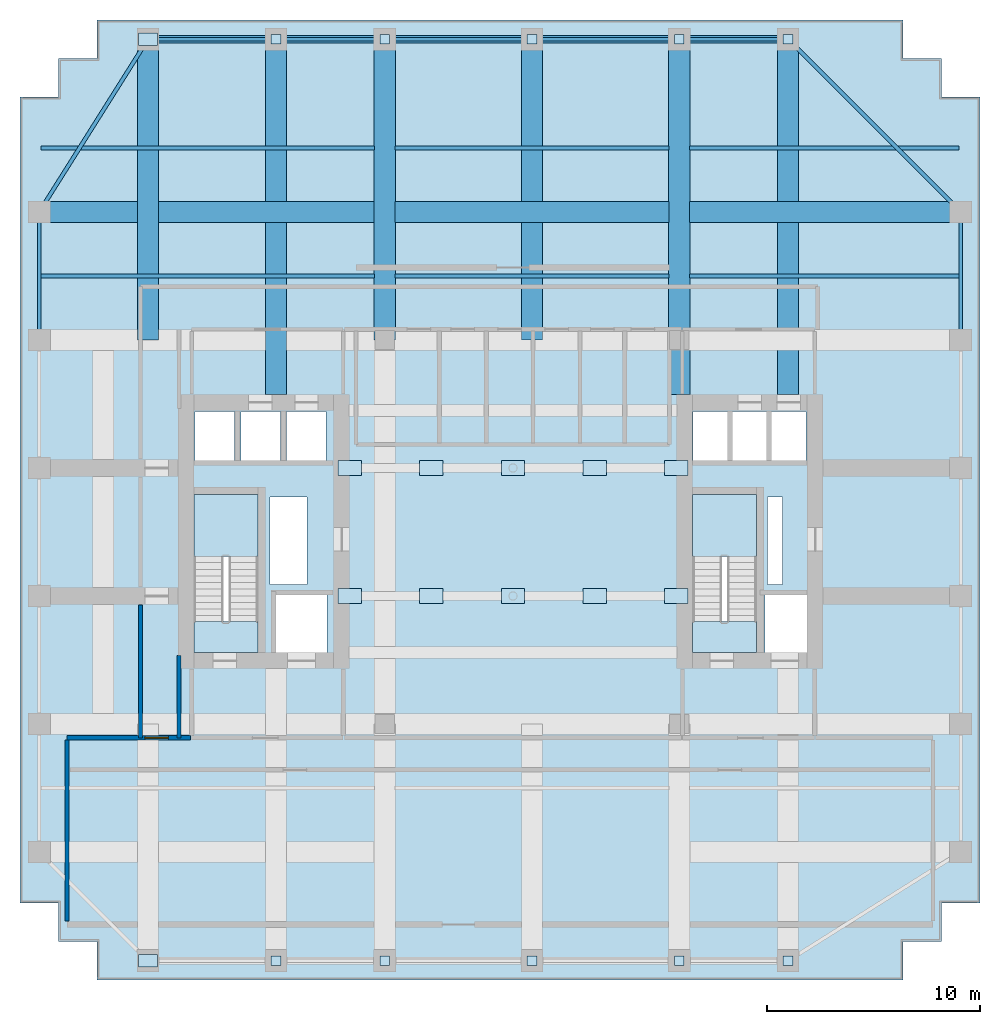
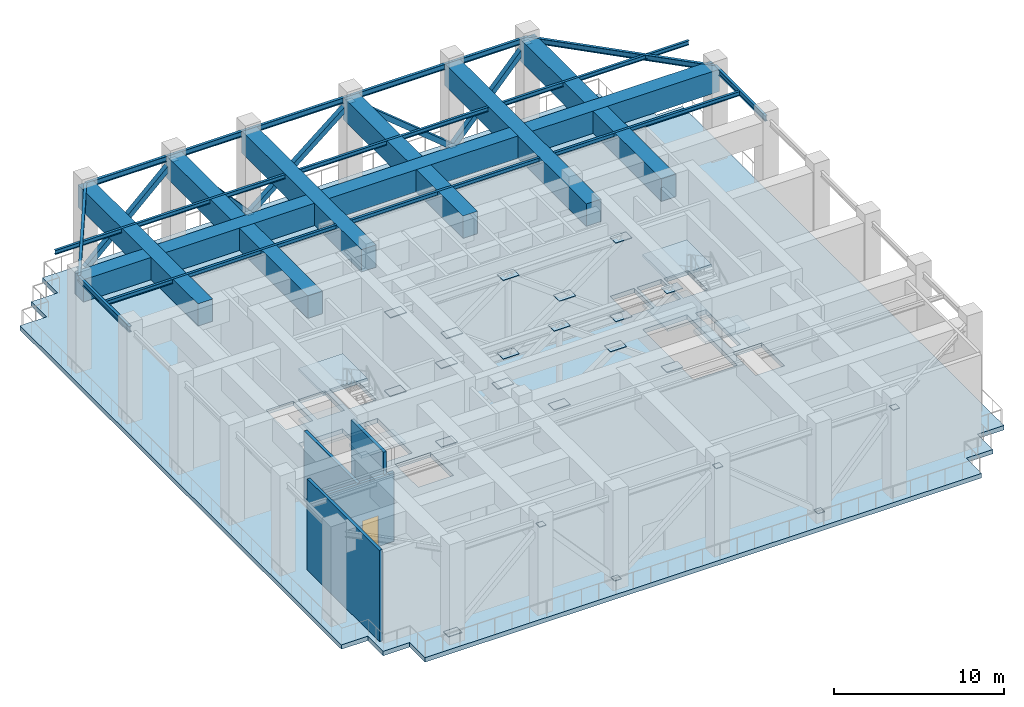
# One storey, part 3 of 10: 28 plates, 24 beams, 7 slabs, 5 members, 4 walls, 1 door, 1 opening, 2 elements without a shape of their own.
"""IFC4 building model written with IfcOpenShell, lengths in metres."""

from ifc_helpers import new_model, si_unit, direction, frame, frame_2d, origin, origin_2d, place, context, subcontext, project, spatial, polyline, rectangle, hollow_rectangle, i_section, outline, extrude, source, transform, mapped, material, layer, layer_set, material_profile, profile_set, type_object, element, fill, aggregate, save


model = new_model("IFC4")

# Units and contexts
model_context = context("Model", 3, precision=1e-05, world=origin(), true_north=direction((0.0, 1.0)))
body_context = subcontext(model_context, "Body", "Model", "MODEL_VIEW")
ifc_project = project(units=[si_unit("LENGTHUNIT", "METRE"), si_unit("AREAUNIT", "SQUARE_METRE"), si_unit("VOLUMEUNIT", "CUBIC_METRE"), si_unit("PLANEANGLEUNIT", "RADIAN"), si_unit("MASSUNIT", "GRAM", prefix="KILO")], contexts=[model_context])

# Site, building, storey
site_placement = place(None, origin())
site = spatial("IfcSite", under=ifc_project, at=site_placement, CompositionType="ELEMENT")
building_placement = place(site_placement, origin())
building = spatial("IfcBuilding", under=site, at=building_placement, Name="Khoralis Quay Care Tower", CompositionType="ELEMENT")
storey_placement = place(building_placement, frame((0.0, 0.0, 148.5)))
storey = spatial("IfcBuildingStorey", under=building, at=storey_placement, Name="L39", CompositionType="ELEMENT", Elevation=148.5)

# Beams
ifc_material_1 = material(Name="Concrete C80/95", Category="concrete")
ifc_material_profile_1 = material_profile(ifc_material_1, rectangle(XDim=1.0, YDim=1.60009765625, at=origin_2d()), Name="Concrete C80/95")
ifc_profile_set_1 = profile_set([ifc_material_profile_1], Name="Concrete C80/95")
beam_type_1 = type_object("IfcBeamType", Name="TG-RC1000X1600", PredefinedType="BEAM", material=ifc_profile_set_1)
shared_shape_1 = source(origin(), body_context, "Body", "SweptSolid", [
    extrude(rectangle(XDim=1.0, YDim=1.60009765625, at=origin_2d()), origin(), (0.0, 0.0, 1.0), 15.712158203125),
])
beam_1_placement = place(storey_placement, frame((0.89990234375, 36.0, 5.75), z_axis=(1.0, 0.0, 0.0), x_axis=(0.0, 1.0, 0.0)))
element("IfcBeam", 1, at=beam_1_placement, inside=storey, type_object=beam_type_1, Name="L39 Transfer girder BM-TGXW-L39-360", PredefinedType="BEAM", context=body_context, shape_type="MappedRepresentation", body=[
    mapped(shared_shape_1, transform((0.0, 0.0, 0.0), scale=1.0)),
])
shared_shape_2 = source(origin(), body_context, "Body", "SweptSolid", [
    extrude(rectangle(XDim=1.0, YDim=1.60009765625, at=origin_2d()), origin(), (0.0, 0.0, 1.0), 12.82421875),
])
beam_2_placement = place(storey_placement, frame((17.587890625, 36.0, 5.75), z_axis=(1.0, 0.0, 0.0), x_axis=(0.0, 1.0, 0.0)))
element("IfcBeam", 2, at=beam_2_placement, inside=storey, type_object=beam_type_1, Name="L39 Transfer girder BM-TGCC-L39-360", PredefinedType="BEAM", context=body_context, shape_type="MappedRepresentation", body=[
    mapped(shared_shape_2, transform((0.0, 0.0, 0.0), scale=1.0)),
])
ifc_material_2 = material(Name="Steel S355", Category="steel")
ifc_material_profile_2 = material_profile(ifc_material_2, i_section(OverallWidth=0.179931640625, OverallDepth=0.39990234375, WebThickness=0.008544921875, FlangeThickness=0.013427734375, FilletRadius=0.02099609375, at=origin_2d()), Name="Steel S355")
ifc_profile_set_2 = profile_set([ifc_material_profile_2], Name="Steel S355")
beam_type_2 = type_object("IfcBeamType", Name="BM-IPE400", PredefinedType="SPANDREL", material=ifc_profile_set_2)
shared_shape_3 = source(origin(), body_context, "Body", "SweptSolid", [
    extrude(i_section(OverallWidth=0.179931640625, OverallDepth=0.39990234375, WebThickness=0.008544921875, FlangeThickness=0.013427734375, FilletRadius=0.02099609375, at=origin_2d()), origin(), (0.0, 0.0, 1.0), 6.0),
])
for number, where, z_axis, x_axis, name in (
    (3, (6.0, 44.10009765625, 6.35009765625), (1.0, 0.0, 0.0), (0.0, 1.0, 0.0), "BM-TSP-L39-06"),
    (4, (0.89990234375, 30.0, 6.35009765625), (0.0, 1.0, 0.0), (-1.0, 0.0, 0.0), "BM-TSP-L39-15"),
    (5, (44.10009765625, 30.0, 6.35009765625), (0.0, 1.0, 0.0), (-1.0, 0.0, 0.0), "BM-TSP-L39-20"),
):
    element("IfcBeam", number, at=place(storey_placement, frame(where, z_axis=z_axis, x_axis=x_axis)), inside=storey, type_object=beam_type_2, Name=name, PredefinedType="SPANDREL", context=body_context, shape_type="MappedRepresentation", body=[
        mapped(shared_shape_3, transform((0.0, 0.0, 0.0), scale=1.0)),
    ])
shared_shape_4 = source(origin(), body_context, "Body", "SweptSolid", [
    extrude(i_section(OverallWidth=0.179931640625, OverallDepth=0.39990234375, WebThickness=0.008544921875, FlangeThickness=0.013427734375, FilletRadius=0.02099609375, at=origin_2d()), origin(), (0.0, 0.0, 1.0), 5.10009765625),
])
for number, where, z_axis, x_axis, name in (
    (6, (12.0, 44.10009765625, 6.35009765625), (1.0, 0.0, 0.0), (0.0, 1.0, 0.0), "BM-TSP-L39-07"),
    (7, (30.89990234375, 44.10009765625, 6.35009765625), (1.0, 0.0, 0.0), (0.0, 1.0, 0.0), "BM-TSP-L39-10"),
):
    element("IfcBeam", number, at=place(storey_placement, frame(where, z_axis=z_axis, x_axis=x_axis)), inside=storey, type_object=beam_type_2, Name=name, PredefinedType="SPANDREL", context=body_context, shape_type="MappedRepresentation", body=[
        mapped(shared_shape_4, transform((0.0, 0.0, 0.0), scale=1.0)),
    ])
shared_shape_5 = source(origin(), body_context, "Body", "SweptSolid", [
    extrude(i_section(OverallWidth=0.179931640625, OverallDepth=0.39990234375, WebThickness=0.008544921875, FlangeThickness=0.013427734375, FilletRadius=0.02099609375, at=origin_2d()), origin(), (0.0, 0.0, 1.0), 6.89990234375),
])
for number, where, z_axis, x_axis, name in (
    (8, (17.10009765625, 44.10009765625, 6.35009765625), (1.0, 0.0, 0.0), (0.0, 1.0, 0.0), "BM-TSP-L39-08"),
    (9, (24.0, 44.10009765625, 6.35009765625), (1.0, 0.0, 0.0), (0.0, 1.0, 0.0), "BM-TSP-L39-09"),
):
    element("IfcBeam", number, at=place(storey_placement, frame(where, z_axis=z_axis, x_axis=x_axis)), inside=storey, type_object=beam_type_2, Name=name, PredefinedType="SPANDREL", context=body_context, shape_type="MappedRepresentation", body=[
        mapped(shared_shape_5, transform((0.0, 0.0, 0.0), scale=1.0)),
    ])
shared_shape_6 = source(origin(), body_context, "Body", "SweptSolid", [
    extrude(i_section(OverallWidth=0.179931640625, OverallDepth=0.39990234375, WebThickness=0.008544921875, FlangeThickness=0.013427734375, FilletRadius=0.02099609375, at=origin_2d()), origin(), (0.0, 0.0, 1.0), 9.572021484375),
])
beam_3_placement = place(storey_placement, frame((6.0, 44.10009765625, 6.35009765625), z_axis=(-0.532815975602, -0.846231136359, 0.0), x_axis=(0.846231136359, -0.532815975602, 0.0)))
element("IfcBeam", 10, at=beam_3_placement, inside=storey, type_object=beam_type_2, Name="BM-TCR-L39-23", PredefinedType="SPANDREL", context=body_context, shape_type="MappedRepresentation", body=[
    mapped(shared_shape_6, transform((0.0, 0.0, 0.0), scale=1.0)),
])
shared_shape_7 = source(origin(), body_context, "Body", "SweptSolid", [
    extrude(i_section(OverallWidth=0.179931640625, OverallDepth=0.39990234375, WebThickness=0.008544921875, FlangeThickness=0.013427734375, FilletRadius=0.02099609375, at=origin_2d()), origin(), (0.0, 0.0, 1.0), 11.455322265625),
])
beam_4_placement = place(storey_placement, frame((36.0, 44.10009765625, 6.35009765625), z_axis=(0.707106781187, -0.707106781187, 0.0), x_axis=(0.707106781187, 0.707106781187, 0.0)))
element("IfcBeam", 11, at=beam_4_placement, inside=storey, type_object=beam_type_2, Name="BM-TCR-L39-24", PredefinedType="SPANDREL", context=body_context, shape_type="MappedRepresentation", body=[
    mapped(shared_shape_7, transform((0.0, 0.0, 0.0), scale=1.0)),
])
shared_shape_8 = source(origin(), body_context, "Body", "SweptSolid", [
    extrude(rectangle(XDim=1.0, YDim=1.60009765625, at=origin_2d()), origin(), (0.0, 0.0, 1.0), 12.712158203125),
])
beam_5_placement = place(storey_placement, frame((31.387939453125, 36.0, 5.75), z_axis=(1.0, 0.0, 0.0), x_axis=(0.0, 1.0, 0.0)))
element("IfcBeam", 12, at=beam_5_placement, inside=storey, type_object=beam_type_1, Name="L39 Transfer girder BM-TGXE-L39-360", PredefinedType="BEAM", context=body_context, shape_type="MappedRepresentation", body=[
    mapped(shared_shape_8, transform((0.0, 0.0, 0.0), scale=1.0)),
])
shared_shape_9 = source(origin(), body_context, "Body", "SweptSolid", [
    extrude(rectangle(XDim=1.0, YDim=1.60009765625, at=origin_2d()), origin(), (0.0, 0.0, 1.0), 14.10009765625),
])
for number, where, z_axis, x_axis, name in (
    (13, (6.0, 30.0, 5.75), (0.0, 1.0, 0.0), (-1.0, 0.0, 0.0), "L39 Transfer girder BM-TGYN-L39-60"),
    (14, (17.10009765625, 30.0, 5.75), (0.0, 1.0, 0.0), (-1.0, 0.0, 0.0), "L39 Transfer girder BM-TGYN-L39-171"),
    (15, (24.0, 30.0, 5.75), (0.0, 1.0, 0.0), (-1.0, 0.0, 0.0), "L39 Transfer girder BM-TGYN-L39-240"),
):
    element("IfcBeam", number, at=place(storey_placement, frame(where, z_axis=z_axis, x_axis=x_axis)), inside=storey, type_object=beam_type_1, Name=name, PredefinedType="BEAM", context=body_context, shape_type="MappedRepresentation", body=[
        mapped(shared_shape_9, transform((0.0, 0.0, 0.0), scale=1.0)),
    ])
shared_shape_10 = source(origin(), body_context, "Body", "SweptSolid", [
    extrude(rectangle(XDim=1.0, YDim=1.60009765625, at=origin_2d()), origin(), (0.0, 0.0, 1.0), 16.652099609375),
])
for number, where, z_axis, x_axis, name in (
    (16, (12.0, 27.447998046875, 5.75), (0.0, 1.0, 0.0), (-1.0, 0.0, 0.0), "L39 Transfer girder BM-TGYN-L39-120"),
    (17, (30.89990234375, 27.447998046875, 5.75), (0.0, 1.0, 0.0), (-1.0, 0.0, 0.0), "L39 Transfer girder BM-TGYN-L39-309"),
    (18, (36.0, 27.447998046875, 5.75), (0.0, 1.0, 0.0), (-1.0, 0.0, 0.0), "L39 Transfer girder BM-TGYN-L39-360"),
):
    element("IfcBeam", number, at=place(storey_placement, frame(where, z_axis=z_axis, x_axis=x_axis)), inside=storey, type_object=beam_type_1, Name=name, PredefinedType="BEAM", context=body_context, shape_type="MappedRepresentation", body=[
        mapped(shared_shape_10, transform((0.0, 0.0, 0.0), scale=1.0)),
    ])
ifc_material_profile_3 = material_profile(ifc_material_2, i_section(OverallWidth=0.1650390625, OverallDepth=0.31005859375, WebThickness=0.005859375, FlangeThickness=0.009765625, FilletRadius=0.011962890625, at=origin_2d()), Name="Steel S355")
ifc_profile_set_3 = profile_set([ifc_material_profile_3], Name="Steel S355")
beam_type_3 = type_object("IfcBeamType", Name="BM-W310X39", PredefinedType="JOIST", material=ifc_profile_set_3)
shared_shape_11 = source(origin(), body_context, "Body", "SweptSolid", [
    extrude(i_section(OverallWidth=0.1650390625, OverallDepth=0.31005859375, WebThickness=0.005859375, FlangeThickness=0.009765625, FilletRadius=0.011962890625, at=origin_2d()), origin(), (0.0, 0.0, 1.0), 15.635986328125),
])
for number, where, z_axis, x_axis, name in (
    (19, (0.97607421875, 33.0, 6.39501953125), (1.0, 0.0, 0.0), (0.0, 1.0, 0.0), "BM-TJS-L39-28"),
    (20, (0.97607421875, 39.0, 6.39501953125), (1.0, 0.0, 0.0), (0.0, 1.0, 0.0), "BM-TJS-L39-31"),
):
    element("IfcBeam", number, at=place(storey_placement, frame(where, z_axis=z_axis, x_axis=x_axis)), inside=storey, type_object=beam_type_3, Name=name, PredefinedType="JOIST", context=body_context, shape_type="MappedRepresentation", body=[
        mapped(shared_shape_11, transform((0.0, 0.0, 0.0), scale=1.0)),
    ])
shared_shape_12 = source(origin(), body_context, "Body", "SweptSolid", [
    extrude(i_section(OverallWidth=0.1650390625, OverallDepth=0.31005859375, WebThickness=0.005859375, FlangeThickness=0.009765625, FilletRadius=0.011962890625, at=origin_2d()), origin(), (0.0, 0.0, 1.0), 12.635986328125),
])
for number, where, z_axis, x_axis, name in (
    (21, (31.387939453125, 33.0, 6.39501953125), (1.0, 0.0, 0.0), (0.0, 1.0, 0.0), "BM-TJS-L39-29"),
    (22, (31.387939453125, 39.0, 6.39501953125), (1.0, 0.0, 0.0), (0.0, 1.0, 0.0), "BM-TJS-L39-32"),
):
    element("IfcBeam", number, at=place(storey_placement, frame(where, z_axis=z_axis, x_axis=x_axis)), inside=storey, type_object=beam_type_3, Name=name, PredefinedType="JOIST", context=body_context, shape_type="MappedRepresentation", body=[
        mapped(shared_shape_12, transform((0.0, 0.0, 0.0), scale=1.0)),
    ])
shared_shape_13 = source(origin(), body_context, "Body", "SweptSolid", [
    extrude(i_section(OverallWidth=0.1650390625, OverallDepth=0.31005859375, WebThickness=0.005859375, FlangeThickness=0.009765625, FilletRadius=0.011962890625, at=origin_2d()), origin(), (0.0, 0.0, 1.0), 12.82421875),
])
for number, where, z_axis, x_axis, name in (
    (23, (17.587890625, 33.0, 6.39501953125), (1.0, 0.0, 0.0), (0.0, 1.0, 0.0), "BM-TJS-L39-30"),
    (24, (17.587890625, 39.0, 6.39501953125), (1.0, 0.0, 0.0), (0.0, 1.0, 0.0), "BM-TJS-L39-33"),
):
    element("IfcBeam", number, at=place(storey_placement, frame(where, z_axis=z_axis, x_axis=x_axis)), inside=storey, type_object=beam_type_3, Name=name, PredefinedType="JOIST", context=body_context, shape_type="MappedRepresentation", body=[
        mapped(shared_shape_13, transform((0.0, 0.0, 0.0), scale=1.0)),
    ])

# Members
ifc_material_profile_4 = material_profile(ifc_material_2, hollow_rectangle(XDim=0.35009765625, YDim=0.35009765625, WallThickness=0.01611328125, at=origin_2d()), Name="Steel S355")
ifc_profile_set_4 = profile_set([ifc_material_profile_4], Name="Steel S355")
member_type = type_object("IfcMemberType", Name="BR-RHS350X350X16", PredefinedType="BRACE", material=ifc_profile_set_4)
shared_shape_14 = source(origin(), body_context, "Body", "SweptSolid", [
    extrude(hollow_rectangle(XDim=0.35009765625, YDim=0.35009765625, WallThickness=0.01611328125, at=origin_2d()), origin(), (0.0, 0.0, 1.0), 8.24169921875),
])
member_placement = place(storey_placement, frame((6.0, 44.10009765625, 0.449951171875), z_axis=(0.728012987869, 0.0, 0.685563337332), x_axis=(0.0, 1.0, 0.0)))
element("IfcMember", 25, at=member_placement, inside=storey, type_object=member_type, Name="L39 Belt truss diagonal 6", PredefinedType="BRACE", context=body_context, shape_type="MappedRepresentation", body=[
    mapped(shared_shape_14, transform((0.0, 0.0, 0.0), scale=1.0)),
])
shared_shape_15 = source(origin(), body_context, "Body", "SweptSolid", [
    extrude(hollow_rectangle(XDim=0.35009765625, YDim=0.35009765625, WallThickness=0.01611328125, at=origin_2d()), origin(), (0.0, 0.0, 1.0), 7.611572265625),
])
for number, where, z_axis, x_axis, name in (
    (26, (12.0, 44.10009765625, 6.10009765625), (0.670050319951, 0.0, -0.742315679973), (0.0, 1.0, 0.0), "L39 Belt truss diagonal 7"),
    (27, (30.89990234375, 44.10009765625, 0.449951171875), (0.670050319951, 0.0, 0.742315679973), (0.0, 1.0, 0.0), "L39 Belt truss diagonal 10"),
):
    element("IfcMember", number, at=place(storey_placement, frame(where, z_axis=z_axis, x_axis=x_axis)), inside=storey, type_object=member_type, Name=name, PredefinedType="BRACE", context=body_context, shape_type="MappedRepresentation", body=[
        mapped(shared_shape_15, transform((0.0, 0.0, 0.0), scale=1.0)),
    ])
shared_shape_16 = source(origin(), body_context, "Body", "SweptSolid", [
    extrude(hollow_rectangle(XDim=0.35009765625, YDim=0.35009765625, WallThickness=0.01611328125, at=origin_2d()), origin(), (0.0, 0.0, 1.0), 8.918212890625),
])
for number, where, z_axis, x_axis, name in (
    (28, (17.10009765625, 44.10009765625, 0.449951171875), (0.773694994311, 0.0, 0.633558249712), (0.0, 1.0, 0.0), "L39 Belt truss diagonal 8"),
    (29, (24.0, 44.10009765625, 6.10009765625), (0.773694994311, 0.0, -0.633558249712), (0.0, 1.0, 0.0), "L39 Belt truss diagonal 9"),
):
    element("IfcMember", number, at=place(storey_placement, frame(where, z_axis=z_axis, x_axis=x_axis)), inside=storey, type_object=member_type, Name=name, PredefinedType="BRACE", context=body_context, shape_type="MappedRepresentation", body=[
        mapped(shared_shape_16, transform((0.0, 0.0, 0.0), scale=1.0)),
    ])

# Slab
ifc_material_3 = material(Name="Concrete C50/60", Category="concrete")
ifc_layer_1 = layer(ifc_material_3, 0.320068359375)
ifc_layer_set_1 = layer_set([ifc_layer_1], Name="Concrete C50/60")
slab_type_1 = type_object("IfcSlabType", Name="SLB-EXT-WIND-320", PredefinedType="FLOOR", material=ifc_layer_set_1)
slab_1_placement = place(storey_placement, frame((0.0, 0.0, -0.320068359375)))
element("IfcSlab", 30, at=slab_1_placement, inside=storey, type_object=slab_type_1, Name="Tower Floor Slab L39", PredefinedType="FLOOR", context=body_context, shape_type="SweptSolid", body=[
    extrude(outline(polyline([(3.60009765625, 0.0), (41.39990234375, 0.0), (41.39990234375, 1.800048828125), (43.199951171875, 1.800048828125), (43.199951171875, 3.60009765625), (45.0, 3.60009765625), (45.0, 41.39990234375), (43.199951171875, 41.39990234375), (43.199951171875, 43.199951171875), (41.39990234375, 43.199951171875), (41.39990234375, 45.0), (3.60009765625, 45.0), (3.60009765625, 43.199951171875), (1.800048828125, 43.199951171875), (1.800048828125, 41.39990234375), (0.0, 41.39990234375), (0.0, 3.60009765625), (1.800048828125, 3.60009765625), (1.800048828125, 1.800048828125), (3.60009765625, 1.800048828125), (3.60009765625, 0.0)]), holes=[polyline([(11.14990234375, 16.800048828125), (11.14990234375, 22.75), (8.14990234375, 22.75), (8.14990234375, 16.800048828125), (11.14990234375, 16.800048828125)]), polyline([(34.52001953125, 16.800048828125), (34.52001953125, 22.75), (31.52001953125, 22.75), (31.52001953125, 16.800048828125), (34.52001953125, 16.800048828125)]), polyline([(12.0, 15.35009765625), (14.39990234375, 15.35009765625), (14.39990234375, 18.050048828125), (12.0, 18.050048828125), (12.0, 15.35009765625)]), polyline([(34.919921875, 15.35009765625), (36.8798828125, 15.35009765625), (36.8798828125, 18.050048828125), (34.919921875, 18.050048828125), (34.919921875, 15.35009765625)]), polyline([(8.199951171875, 24.35009765625), (10.050048828125, 24.35009765625), (10.050048828125, 26.64990234375), (8.199951171875, 26.64990234375), (8.199951171875, 24.35009765625)]), polyline([(31.550048828125, 24.35009765625), (33.199951171875, 24.35009765625), (33.199951171875, 26.64990234375), (31.550048828125, 26.64990234375), (31.550048828125, 24.35009765625)]), polyline([(10.35009765625, 24.35009765625), (12.199951171875, 24.35009765625), (12.199951171875, 26.64990234375), (10.35009765625, 26.64990234375), (10.35009765625, 24.35009765625)]), polyline([(33.3798828125, 24.35009765625), (35.030029296875, 24.35009765625), (35.030029296875, 26.64990234375), (33.3798828125, 26.64990234375), (33.3798828125, 24.35009765625)]), polyline([(12.5, 24.35009765625), (14.35009765625, 24.35009765625), (14.35009765625, 26.64990234375), (12.5, 26.64990234375), (12.5, 24.35009765625)]), polyline([(35.199951171875, 24.35009765625), (36.85009765625, 24.35009765625), (36.85009765625, 26.64990234375), (35.199951171875, 26.64990234375), (35.199951171875, 24.35009765625)]), polyline([(11.719970703125, 18.550048828125), (13.449951171875, 18.550048828125), (13.449951171875, 22.64990234375), (11.719970703125, 22.64990234375), (11.719970703125, 18.550048828125)]), polyline([(35.050048828125, 18.550048828125), (35.75, 18.550048828125), (35.75, 22.64990234375), (35.050048828125, 22.64990234375), (35.050048828125, 18.550048828125)])]), origin(), (0.0, 0.0, 1.0), 0.320068359375),
])

# Stair, slabs
ifc_material_4 = material(Name="Precast concrete C45/55", Category="concrete")
stair_type = type_object("IfcStairType", Name="ST-TWR-DOGLEG-1400", PredefinedType="HALF_TURN_STAIR", material=ifc_material_4)
stair_1_placement = place(storey_placement, origin())
stair_1 = element("IfcStair", 31, at=stair_1_placement, inside=storey, type_object=stair_type, Name="L39 West Core Exit Stair ST-T1", PredefinedType="HALF_TURN_STAIR")
ifc_layer_2 = layer(ifc_material_4, 0.199951171875)
ifc_layer_set_2 = layer_set([ifc_layer_2], Name="Precast concrete C45/55")
slab_type_2 = type_object("IfcSlabType", Name="SLB-LANDING-200", PredefinedType="LANDING", material=ifc_layer_set_2)
slab_2_placement = place(storey_placement, frame((0.0, 0.0, 1.60009765625)))
slab_2 = element("IfcSlab", 32, at=slab_2_placement, type_object=slab_type_2, Name="ST-T1 landing 1", PredefinedType="LANDING", context=body_context, shape_type="SweptSolid", body=[
    extrude(outline(polyline([(11.14990234375, 19.840087890625), (11.14990234375, 22.75), (8.14990234375, 22.75), (8.14990234375, 19.840087890625), (11.14990234375, 19.840087890625)])), origin(), (0.0, 0.0, 1.0), 0.199951171875),
])
slab_3_placement = place(storey_placement, frame((0.0, 0.0, 3.39990234375)))
slab_3 = element("IfcSlab", 33, at=slab_3_placement, type_object=slab_type_2, Name="ST-T1 landing 2", PredefinedType="LANDING", context=body_context, shape_type="SweptSolid", body=[
    extrude(outline(polyline([(11.14990234375, 15.35009765625), (11.14990234375, 16.800048828125), (8.14990234375, 16.800048828125), (8.14990234375, 15.35009765625), (11.14990234375, 15.35009765625)])), origin(), (0.0, 0.0, 1.0), 0.2001953125),
])
slab_4_placement = place(storey_placement, frame((0.0, 0.0, 5.199951171875)))
slab_4 = element("IfcSlab", 34, at=slab_4_placement, type_object=slab_type_2, Name="ST-T1 landing 3", PredefinedType="LANDING", context=body_context, shape_type="SweptSolid", body=[
    extrude(outline(polyline([(11.14990234375, 19.840087890625), (11.14990234375, 22.75), (8.14990234375, 22.75), (8.14990234375, 19.840087890625), (11.14990234375, 19.840087890625)])), origin(), (0.0, 0.0, 1.0), 0.199951171875),
])
aggregate(stair_1, [slab_2, slab_3, slab_4])

stair_2_placement = place(storey_placement, origin())
stair_2 = element("IfcStair", 35, at=stair_2_placement, inside=storey, type_object=stair_type, Name="L39 East Core Exit Stair ST-T2", PredefinedType="HALF_TURN_STAIR")
slab_5_placement = place(storey_placement, frame((0.0, 0.0, 1.60009765625)))
slab_5 = element("IfcSlab", 36, at=slab_5_placement, type_object=slab_type_2, Name="ST-T2 landing 1", PredefinedType="LANDING", context=body_context, shape_type="SweptSolid", body=[
    extrude(outline(polyline([(34.52001953125, 19.840087890625), (34.52001953125, 22.75), (31.52001953125, 22.75), (31.52001953125, 19.840087890625), (34.52001953125, 19.840087890625)])), origin(), (0.0, 0.0, 1.0), 0.199951171875),
])
slab_6_placement = place(storey_placement, frame((0.0, 0.0, 3.39990234375)))
slab_6 = element("IfcSlab", 37, at=slab_6_placement, type_object=slab_type_2, Name="ST-T2 landing 2", PredefinedType="LANDING", context=body_context, shape_type="SweptSolid", body=[
    extrude(outline(polyline([(34.52001953125, 15.35009765625), (34.52001953125, 16.800048828125), (31.52001953125, 16.800048828125), (31.52001953125, 15.35009765625), (34.52001953125, 15.35009765625)])), origin(), (0.0, 0.0, 1.0), 0.2001953125),
])
slab_7_placement = place(storey_placement, frame((0.0, 0.0, 5.199951171875)))
slab_7 = element("IfcSlab", 38, at=slab_7_placement, type_object=slab_type_2, Name="ST-T2 landing 3", PredefinedType="LANDING", context=body_context, shape_type="SweptSolid", body=[
    extrude(outline(polyline([(34.52001953125, 19.840087890625), (34.52001953125, 22.75), (31.52001953125, 22.75), (31.52001953125, 19.840087890625), (34.52001953125, 19.840087890625)])), origin(), (0.0, 0.0, 1.0), 0.199951171875),
])
aggregate(stair_2, [slab_5, slab_6, slab_7])

# Plates
ifc_layer_3 = layer(ifc_material_2, 0.02490234375)
ifc_layer_set_3 = layer_set([ifc_layer_3], Name="Steel S355")
plate_type_1 = type_object("IfcPlateType", Name="PLT-CAP-450", PredefinedType="USERDEFINED", material=ifc_layer_set_3)
shared_shape_17 = source(origin(), body_context, "Body", "SweptSolid", [
    extrude(rectangle(XDim=0.449951171875, YDim=0.449951171875, at=origin_2d()), origin(), (0.0, 0.0, 1.0), 0.02490234375),
])
for number, where, z_axis, x_axis, name in (
    (39, (12.0, 0.89990234375, 6.087646484375), (0.0, 0.0, 1.0), (1.0, 0.0, 0.0), "PLT-L39-CP-01"),
    (40, (17.10009765625, 0.89990234375, 0.4375), (0.0, 0.0, 1.0), (1.0, 0.0, 0.0), "PLT-L39-CP-02"),
    (41, (24.0, 0.89990234375, 6.087646484375), (0.0, 0.0, 1.0), (1.0, 0.0, 0.0), "PLT-L39-CP-03"),
    (42, (30.89990234375, 0.89990234375, 0.4375), (0.0, 0.0, 1.0), (1.0, 0.0, 0.0), "PLT-L39-CP-04"),
    (43, (36.0, 0.89990234375, 6.087646484375), (0.0, 0.0, 1.0), (1.0, 0.0, 0.0), "PLT-L39-CP-05"),
    (44, (12.0, 44.10009765625, 6.087646484375), (0.0, 0.0, 1.0), (1.0, 0.0, 0.0), "PLT-L39-CP-06"),
    (45, (17.10009765625, 44.10009765625, 0.4375), (0.0, 0.0, 1.0), (1.0, 0.0, 0.0), "PLT-L39-CP-07"),
    (46, (24.0, 44.10009765625, 6.087646484375), (0.0, 0.0, 1.0), (1.0, 0.0, 0.0), "PLT-L39-CP-08"),
    (47, (30.89990234375, 44.10009765625, 0.4375), (0.0, 0.0, 1.0), (1.0, 0.0, 0.0), "PLT-L39-CP-09"),
    (48, (36.0, 44.10009765625, 6.087646484375), (0.0, 0.0, 1.0), (1.0, 0.0, 0.0), "PLT-L39-CP-10"),
):
    element("IfcPlate", number, at=place(storey_placement, frame(where, z_axis=z_axis, x_axis=x_axis)), inside=storey, type_object=plate_type_1, Name=name, ObjectType="BASE_PLATE", PredefinedType="USERDEFINED", context=body_context, shape_type="MappedRepresentation", body=[
        mapped(shared_shape_17, transform((0.0, 0.0, 0.0), scale=1.0)),
    ])
ifc_material_5 = material(Name="Steel S460", Category="steel")
ifc_layer_4 = layer(ifc_material_5, 0.034912109375)
ifc_layer_set_4 = layer_set([ifc_layer_4], Name="Steel S460")
plate_type_2 = type_object("IfcPlateType", Name="PLT-NODE-ON1", PredefinedType="USERDEFINED", material=ifc_layer_set_4)
shared_shape_18 = source(origin(), body_context, "Body", "SweptSolid", [
    extrude(rectangle(XDim=1.10009765625, YDim=0.699951171875, at=origin_2d()), origin(), (0.0, 0.0, 1.0), 0.034912109375),
])
for number, where, z_axis, x_axis, name in (
    (49, (15.449951171875, 18.0, 0.4326171875), (0.0, 0.0, 1.0), (1.0, 0.0, 0.0), "PLT-L39-CHND-18-154-1489"),
    (50, (30.77001953125, 18.0, 0.4326171875), (0.0, 0.0, 1.0), (1.0, 0.0, 0.0), "PLT-L39-CHND-18-307-1489"),
    (51, (15.449951171875, 18.0, 6.08251953125), (0.0, 0.0, 1.0), (1.0, 0.0, 0.0), "PLT-L39-CHND-18-154-1546"),
    (52, (30.77001953125, 18.0, 6.08251953125), (0.0, 0.0, 1.0), (1.0, 0.0, 0.0), "PLT-L39-CHND-18-307-1546"),
    (53, (23.110107421875, 18.0, 0.4326171875), (0.0, 0.0, 1.0), (1.0, 0.0, 0.0), "PLT-L39-CHND-18-231-1489"),
    (54, (23.110107421875, 18.0, 6.08251953125), (0.0, 0.0, 1.0), (1.0, 0.0, 0.0), "PLT-L39-CHND-18-231-1546"),
    (55, (19.280029296875, 18.0, 3.25732421875), (0.0, 0.0, 1.0), (1.0, 0.0, 0.0), "L39 Outrigger X-Brace Central Gusset 18.1"),
    (56, (26.93994140625, 18.0, 3.25732421875), (0.0, 0.0, 1.0), (1.0, 0.0, 0.0), "L39 Outrigger X-Brace Central Gusset 18.2"),
    (57, (15.449951171875, 24.0, 0.4326171875), (0.0, 0.0, 1.0), (1.0, 0.0, 0.0), "PLT-L39-CHND-24-154-1489"),
    (58, (30.77001953125, 24.0, 0.4326171875), (0.0, 0.0, 1.0), (1.0, 0.0, 0.0), "PLT-L39-CHND-24-307-1489"),
    (59, (15.449951171875, 24.0, 6.08251953125), (0.0, 0.0, 1.0), (1.0, 0.0, 0.0), "PLT-L39-CHND-24-154-1546"),
    (60, (30.77001953125, 24.0, 6.08251953125), (0.0, 0.0, 1.0), (1.0, 0.0, 0.0), "PLT-L39-CHND-24-307-1546"),
    (61, (23.110107421875, 24.0, 0.4326171875), (0.0, 0.0, 1.0), (1.0, 0.0, 0.0), "PLT-L39-CHND-24-231-1489"),
    (62, (23.110107421875, 24.0, 6.08251953125), (0.0, 0.0, 1.0), (1.0, 0.0, 0.0), "PLT-L39-CHND-24-231-1546"),
    (63, (19.280029296875, 24.0, 3.25732421875), (0.0, 0.0, 1.0), (1.0, 0.0, 0.0), "L39 Outrigger X-Brace Central Gusset 24.1"),
    (64, (26.93994140625, 24.0, 3.25732421875), (0.0, 0.0, 1.0), (1.0, 0.0, 0.0), "L39 Outrigger X-Brace Central Gusset 24.2"),
):
    element("IfcPlate", number, at=place(storey_placement, frame(where, z_axis=z_axis, x_axis=x_axis)), inside=storey, type_object=plate_type_2, Name=name, ObjectType="GUSSET_PLATE", PredefinedType="USERDEFINED", context=body_context, shape_type="MappedRepresentation", body=[
        mapped(shared_shape_18, transform((0.0, 0.0, 0.0), scale=1.0)),
    ])
ifc_layer_5 = layer(ifc_material_2, 0.030029296875)
ifc_layer_set_5 = layer_set([ifc_layer_5], Name="Steel S355")
plate_type_3 = type_object("IfcPlateType", Name="PLT-NODE-BN1", PredefinedType="USERDEFINED", material=ifc_layer_set_5)
shared_shape_19 = source(origin(), body_context, "Body", "SweptSolid", [
    extrude(rectangle(XDim=0.89990234375, YDim=0.60009765625, at=origin_2d()), origin(), (0.0, 0.0, 1.0), 0.030029296875),
])
for number, where, z_axis, x_axis, name in (
    (65, (6.0, 0.89990234375, 0.43505859375), (0.0, 0.0, 1.0), (1.0, 0.0, 0.0), "PLT-L39-BN-01"),
    (66, (6.0, 44.10009765625, 0.43505859375), (0.0, 0.0, 1.0), (1.0, 0.0, 0.0), "PLT-L39-BN-06"),
):
    element("IfcPlate", number, at=place(storey_placement, frame(where, z_axis=z_axis, x_axis=x_axis)), inside=storey, type_object=plate_type_3, Name=name, ObjectType="GUSSET_PLATE", PredefinedType="USERDEFINED", context=body_context, shape_type="MappedRepresentation", body=[
        mapped(shared_shape_19, transform((0.0, 0.0, 0.0), scale=1.0)),
    ])

# Wall
ifc_material_6 = material(Name="Gypsum plasterboard on acoustic metal stud")
ifc_layer_6 = layer(ifc_material_6, 0.199951171875)
ifc_layer_set_6 = layer_set([ifc_layer_6], Name="Gypsum plasterboard on acoustic metal stud")
wall_type = type_object("IfcWallType", Name="WL-COMP-200", PredefinedType="PARTITIONING", material=ifc_layer_set_6)
wall_1_placement = place(storey_placement, frame((2.199951171875, 2.77001953125, 0.0), z_axis=(0.0, 0.0, 1.0), x_axis=(0.0, 1.0, 0.0)))
element("IfcWall", 67, at=wall_1_placement, inside=storey, type_object=wall_type, Name="L39 Refuge West Compartment Wall", PredefinedType="PARTITIONING", context=body_context, shape_type="SweptSolid", body=[
    extrude(rectangle(XDim=8.47998046875, YDim=0.199951171875, at=frame_2d((4.239990234375, 0.0))), origin(), (0.0, 0.0, 1.0), 6.550048828125),
])

# Wall, opening, door
wall_2_placement = place(storey_placement, frame((2.199951171875, 11.35009765625, 0.0), z_axis=(0.0, 0.0, 1.0), x_axis=(1.0, 0.0, 0.0)))
wall_2 = element("IfcWall", 68, at=wall_2_placement, inside=storey, type_object=wall_type, Name="L39 Refuge Corridor North-West Cap", PredefinedType="PARTITIONING", context=body_context, shape_type="SweptSolid", body=[
    extrude(rectangle(XDim=5.800048828125, YDim=0.199951171875, at=frame_2d((2.89990234375, 0.0))), origin(), (0.0, 0.0, 1.0), 4.949951171875),
])
opening_placement = place(wall_2_placement, frame((3.64990234375, 0.0, 0.0)))
opening = element("IfcOpeningElement", 69, at=opening_placement, cuts=wall_2, Name="Opening SD1", PredefinedType="OPENING", context=body_context, shape_type="SweptSolid", body=[
    extrude(rectangle(XDim=1.10009765625, YDim=2.199951171875, at=frame_2d((0.550048828125, 1.10009765625))), frame((0.0, 0.10986328125, 0.0), z_axis=(0.0, -1.0, 0.0), x_axis=(1.0, 0.0, 0.0)), (0.0, 0.0, 1.0), 0.219970703125),
])
ifc_material_7 = material(Name="Fire-rated painted steel", Category="steel")
door_type = type_object("IfcDoorType", Name="DR-STAIR-1100X2200", OperationType="NOTDEFINED", PredefinedType="DOOR", material=ifc_material_7)
shared_shape_20 = source(origin(), body_context, "Body", "SweptSolid", [
    extrude(rectangle(XDim=1.10009765625, YDim=2.199951171875, at=frame_2d((0.550048828125, 1.10009765625))), frame((0.0, 0.02490234375, 0.0), z_axis=(0.0, -1.0, 0.0), x_axis=(1.0, 0.0, 0.0)), (0.0, 0.0, 1.0), 0.050048828125),
])
door_placement = place(opening_placement, origin())
door = element("IfcDoor", 70, at=door_placement, inside=storey, type_object=door_type, Name="L39 Refuge Link Transfer Door", OperationType="SINGLE_SWING_LEFT", OverallHeight=2.199951171875, OverallWidth=1.10009765625, PredefinedType="DOOR", context=body_context, shape_type="MappedRepresentation", body=[
    mapped(shared_shape_20, transform((0.0, 0.0, 0.0), scale=1.0)),
])
fill(opening, door)

# Walls
wall_3_placement = place(storey_placement, frame((5.64990234375, 11.35009765625, 0.0), z_axis=(0.0, 0.0, 1.0), x_axis=(0.0, 1.0, 0.0)))
element("IfcWall", 71, at=wall_3_placement, inside=storey, type_object=wall_type, Name="L39 West Refuge Link Wall 1", PredefinedType="PARTITIONING", context=body_context, shape_type="SweptSolid", body=[
    extrude(rectangle(XDim=6.22998046875, YDim=0.199951171875, at=frame_2d((3.114990234375, 0.0))), origin(), (0.0, 0.0, 1.0), 4.949951171875),
])
wall_4_placement = place(storey_placement, frame((7.449951171875, 11.35009765625, 0.0), z_axis=(0.0, 0.0, 1.0), x_axis=(0.0, 1.0, 0.0)))
element("IfcWall", 72, at=wall_4_placement, inside=storey, type_object=wall_type, Name="L39 West Refuge Link Inner Wall 1", PredefinedType="PARTITIONING", context=body_context, shape_type="SweptSolid", body=[
    extrude(rectangle(XDim=3.849853515625, YDim=0.199951171875, at=frame_2d((1.9248046875, 0.0))), origin(), (0.0, 0.0, 1.0), 6.550048828125),
])

save(model, "model.ifc")
